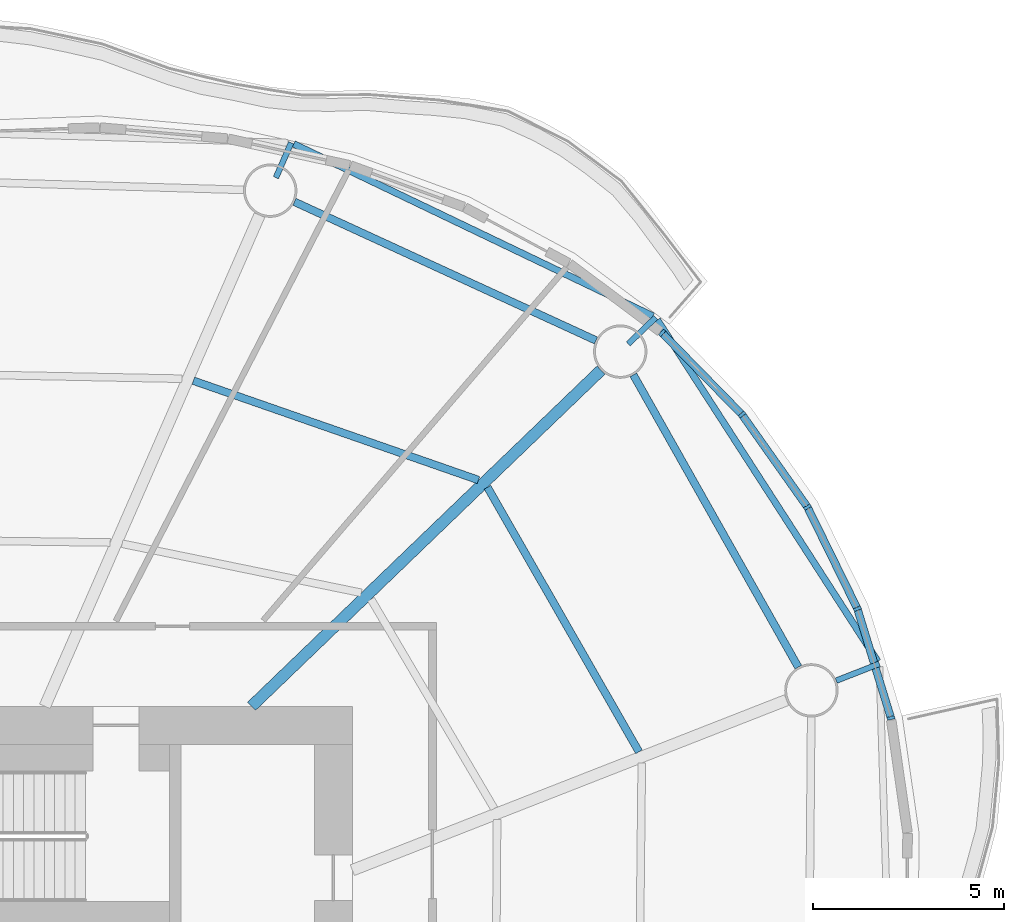
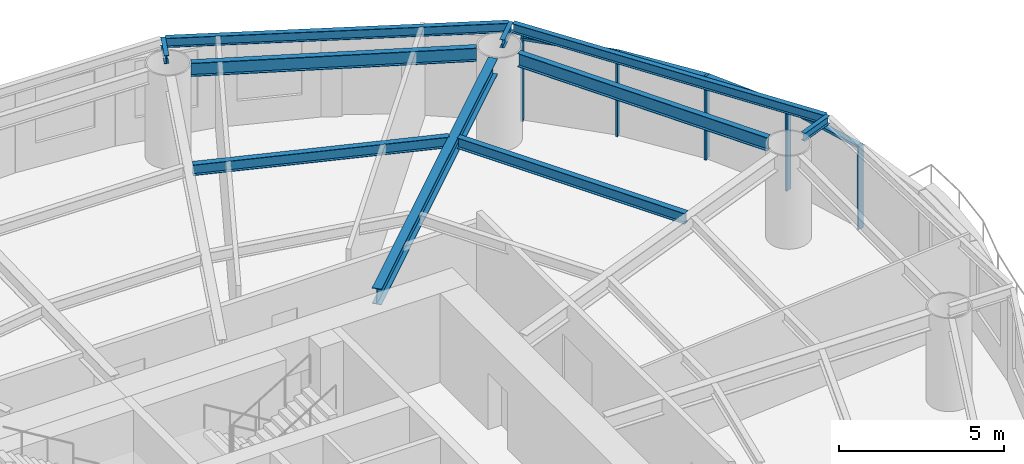
# One storey, part 6 of 14: 10 beams, 9 members, 4 elements without a shape of their own.
"""IFC4 building model written with IfcOpenShell, lengths in metres."""

import ifcopenshell
import ifcopenshell.guid

model = None  # the IFC model being written
_history = None  # IfcOwnerHistory: only IFC2X3 demands one
_inside = {}  # id of a spatial element -> (the spatial element, [elements in it])
_under = {}  # id of a project, library or spatial element -> (it, [spatial elements below it])
_declared = {}  # id of a project -> (the project, [libraries it declares])
_typed = {}  # id of a type object -> (the type object, [elements of that type])
_made_of = {}  # id of a material, layer set ... -> (it, [elements and type objects made of it])


def new_model(schema):
    """Start an empty IFC model of exactly this schema.

    Asked for "IFC4X3", IfcOpenShell would pick the latest addendum, in which some entities
    have other attributes; the version numbers below select the first issue.
    IFC2X3 requires an IfcOwnerHistory on every rooted entity: one is made here for all.
    """
    global model, _history
    if schema == "IFC4X3":
        model = ifcopenshell.file(schema_version=(4, 3, 0, 0))
    else:
        model = ifcopenshell.file(schema=schema)
    _inside.clear()
    _under.clear()
    _declared.clear()
    _typed.clear()
    _made_of.clear()
    _history = None
    if model.schema == "IFC2X3":
        org = make("IfcOrganization", Name="unknown")
        user = make(
            "IfcPersonAndOrganization",
            ThePerson=make("IfcPerson", FamilyName="unknown"),
            TheOrganization=org,
        )
        app = make(
            "IfcApplication",
            ApplicationDeveloper=org,
            Version="unknown",
            ApplicationFullName="unknown",
            ApplicationIdentifier="unknown",
        )
        _history = make(
            "IfcOwnerHistory",
            OwningUser=user,
            OwningApplication=app,
            ChangeAction="ADDED",
            CreationDate=0,
        )
    return model


def make(cls, **values):
    """One entity of the class cls with the attributes given. An attribute that is None is left unset."""
    return model.create_entity(
        cls, **{name: value for name, value in values.items() if value is not None}
    )


def rooted(cls, **values):
    """An entity with a GlobalId (a new one), such as an element, a storey or a relation."""
    return make(cls, GlobalId=ifcopenshell.guid.new(), OwnerHistory=_history, **values)


def si_unit(unit_type, name, prefix=None):
    """IfcSIUnit, for example si_unit("LENGTHUNIT", "METRE", prefix="MILLI")."""
    return make("IfcSIUnit", UnitType=unit_type, Prefix=prefix, Name=name)


def assignment(units):
    """IfcUnitAssignment: the units of a project."""
    return None if units is None else make("IfcUnitAssignment", Units=units)


def point(xyz):
    """IfcCartesianPoint."""
    return None if xyz is None else make("IfcCartesianPoint", Coordinates=xyz)


def direction(xyz):
    """IfcDirection."""
    return None if xyz is None else make("IfcDirection", DirectionRatios=xyz)


def frame(location, z_axis=None, x_axis=None):
    """IfcAxis2Placement3D, a coordinate frame: its origin and axes. An axis left out is left unset."""
    return make(
        "IfcAxis2Placement3D",
        Location=point(location),
        Axis=direction(z_axis),
        RefDirection=direction(x_axis),
    )


def frame_2d(location, x_axis=None):
    """IfcAxis2Placement2D, a coordinate frame in the plane: its origin and x axis."""
    return make(
        "IfcAxis2Placement2D", Location=point(location), RefDirection=direction(x_axis)
    )


def origin():
    """The frame at (0, 0, 0) with its axes left unset."""
    return frame((0.0, 0.0, 0.0))


def origin_2d():
    """The frame at (0, 0) in the plane with its x axis left unset."""
    return frame_2d((0.0, 0.0))


def place(relative_to, where):
    """IfcLocalPlacement: puts the frame where relative to a parent placement (None: the world)."""
    return make(
        "IfcLocalPlacement", PlacementRelTo=relative_to, RelativePlacement=where
    )


def context(
    kind, dimensions, precision=None, world=None, true_north=None, identifier=None
):
    """IfcGeometricRepresentationContext, for example the 3D "Model" context."""
    return make(
        "IfcGeometricRepresentationContext",
        ContextIdentifier=identifier,
        ContextType=kind,
        CoordinateSpaceDimension=dimensions,
        Precision=precision,
        WorldCoordinateSystem=world,
        TrueNorth=true_north,
    )


def subcontext(parent, identifier, kind, view, scale=None):
    """IfcGeometricRepresentationSubContext, for example "Body" below "Model"."""
    return make(
        "IfcGeometricRepresentationSubContext",
        ContextIdentifier=identifier,
        ContextType=kind,
        ParentContext=parent,
        TargetScale=scale,
        TargetView=view,
    )


def project(units=None, contexts=None):
    """IfcProject with its units and contexts."""
    return rooted(
        "IfcProject",
        Name="project",
        RepresentationContexts=contexts,
        UnitsInContext=assignment(units),
    )


def spatial(cls, under=None, at=None, **own):
    """A site, building, storey or space (cls), placed at a placement, below another one or the project."""
    s = rooted(cls, ObjectPlacement=at, **own)
    if under is not None:
        _under.setdefault(under.id(), (under, []))[1].append(s)
    return s


def profile(cls, at=None, kind="AREA", **sizes):
    """A parametric profile (cls). Its sizes go by their IFC names, for example OverallWidth=200.0."""
    return make(cls, ProfileType=kind, Position=at, **sizes)


def rectangle(**sizes):
    """IfcRectangleProfileDef."""
    return profile("IfcRectangleProfileDef", **sizes)


def i_section(**sizes):
    """IfcIShapeProfileDef."""
    return profile("IfcIShapeProfileDef", **sizes)


def extrude(swept, where, along, depth):
    """IfcExtrudedAreaSolid: the profile swept, set in the frame where, extruded along a direction by depth."""
    return make(
        "IfcExtrudedAreaSolid",
        SweptArea=swept,
        Position=where,
        ExtrudedDirection=direction(along),
        Depth=depth,
    )


def shape(context_of_items, identifier, shape_type, items):
    """IfcShapeRepresentation: the items that make up one representation, for example the "Body"."""
    return make(
        "IfcShapeRepresentation",
        ContextOfItems=context_of_items,
        RepresentationIdentifier=identifier,
        RepresentationType=shape_type,
        Items=items,
    )


def material(Name=None, Category=None):
    """IfcMaterial."""
    return make("IfcMaterial", Name=Name, Category=Category)


def material_profile(
    of_material, cross_section, Name=None, Category=None, Priority=None
):
    """IfcMaterialProfile: a cross section and its material."""
    return make(
        "IfcMaterialProfile",
        Name=Name,
        Material=of_material,
        Profile=cross_section,
        Priority=Priority,
        Category=Category,
    )


def profile_set(profiles, Name=None, composite=None):
    """IfcMaterialProfileSet."""
    return make(
        "IfcMaterialProfileSet",
        Name=Name,
        MaterialProfiles=profiles,
        CompositeProfile=composite,
    )


def made_of(thing, what):
    """Note that an element or type object is made of a material, layer set ...; save() writes the relation."""
    if what is not None:
        _made_of.setdefault(what.id(), (what, []))[1].append(thing)
    return thing


def type_object(cls, material=None, **own):
    """A type object (cls), such as IfcWallType, which elements share."""
    return made_of(rooted(cls, **own), material)


def element(
    cls,
    number,
    at=None,
    inside=None,
    cuts=None,
    type_object=None,
    material=None,
    context=None,
    identifier="Body",
    shape_type=None,
    held_by="IfcProductDefinitionShape",
    body=None,
    shapes=None,
    **own,
):
    """One element of the class cls, such as IfcWall. Its Tag is "e" and its number.

    at: its placement. inside: the storey or other place that contains it. cuts: it is an
    opening in that element (IfcRelVoidsElement). A single representation is given by context,
    identifier, shape_type and body (its items); several are given by shapes. held_by: the class
    of the entity that holds the representations. save() writes the other relations.
    """
    e = rooted(cls, Tag="e%d" % number, ObjectPlacement=at, **own)
    if body is not None:
        shapes = [shape(context, identifier, shape_type, body)]
    if shapes is not None:
        e.Representation = make(held_by, Representations=shapes)
    if inside is not None:
        _inside.setdefault(inside.id(), (inside, []))[1].append(e)
    if cuts is not None:
        rooted(
            "IfcRelVoidsElement", RelatingBuildingElement=cuts, RelatedOpeningElement=e
        )
    if type_object is not None:
        _typed.setdefault(type_object.id(), (type_object, []))[1].append(e)
    return made_of(e, material)


def aggregate(whole, parts):
    """IfcRelAggregates: a whole, such as a stair, and the parts it consists of."""
    return rooted("IfcRelAggregates", RelatingObject=whole, RelatedObjects=parts)


def save(model, path):
    """Write the relations noted so far, then the file.

    IfcRelAggregates (storeys below a building ...), IfcRelContainedInSpatialStructure (elements
    in a storey), IfcRelDefinesByType, IfcRelAssociatesMaterial and IfcRelDeclares: one each for
    every whole, place, type object, material and project.
    """
    for whole, parts in _under.values():
        aggregate(whole, parts)
    for where, things in _inside.values():
        rooted(
            "IfcRelContainedInSpatialStructure",
            RelatedElements=things,
            RelatingStructure=where,
        )
    for kind, things in _typed.values():
        rooted("IfcRelDefinesByType", RelatedObjects=things, RelatingType=kind)
    for what, things in _made_of.values():
        rooted("IfcRelAssociatesMaterial", RelatedObjects=things, RelatingMaterial=what)
    for by, libraries in _declared.values():
        rooted("IfcRelDeclares", RelatingContext=by, RelatedDefinitions=libraries)
    model.write(path)


model = new_model("IFC4")

# Units and contexts
model_context = context("Model", 3, precision=1e-05, world=origin(), true_north=direction((0.0, 1.0)))
body_context = subcontext(model_context, "Body", "Model", "MODEL_VIEW")
ifc_project = project(units=[si_unit("LENGTHUNIT", "METRE"), si_unit("AREAUNIT", "SQUARE_METRE"), si_unit("VOLUMEUNIT", "CUBIC_METRE"), si_unit("PLANEANGLEUNIT", "RADIAN"), si_unit("MASSUNIT", "GRAM", prefix="KILO")], contexts=[model_context])

# Site, building, storey
site_placement = place(None, origin())
site = spatial("IfcSite", under=ifc_project, at=site_placement, CompositionType="ELEMENT")
building_placement = place(site_placement, origin())
building = spatial("IfcBuilding", under=site, at=building_placement, Name="Vermilion Reach Broadcast Tower", CompositionType="ELEMENT")
storey_placement = place(building_placement, frame((0.0, 0.0, 157.800048828125)))
storey = spatial("IfcBuildingStorey", under=building, at=storey_placement, Name="L37", CompositionType="ELEMENT", Elevation=157.800048828125)

# Beams
ifc_material_1 = material(Name="Steel S355J2", Category="steel")
ifc_material_profile_1 = material_profile(ifc_material_1, i_section(OverallWidth=0.175048828125, OverallDepth=0.35009765625, WebThickness=0.007080078125, FlangeThickness=0.010986328125, at=origin_2d()), Name="S355J2 HN 350x175x7x11")
ifc_profile_set_1 = profile_set([ifc_material_profile_1], Name="Steel S355J2")
beam_type_1 = type_object("IfcBeamType", Name="EB3 HN 350x175x7x11", PredefinedType="BEAM", material=ifc_profile_set_1)
beam_1_placement = place(storey_placement, frame((13.885986328125, 19.234130859375, 3.27490234375), z_axis=(-0.901823995438, 0.432103553853, 0.0), x_axis=(-0.432103553853, -0.901823995438, 0.0)))
element("IfcBeam", 1, at=beam_1_placement, inside=storey, type_object=beam_type_1, Name="Edge beam EB3-01", PredefinedType="BEAM", context=body_context, shape_type="SweptSolid", body=[
    extrude(i_section(OverallWidth=0.175048828125, OverallDepth=0.35009765625, WebThickness=0.007080078125, FlangeThickness=0.010986328125, at=origin_2d()), origin(), (0.0, 0.0, 1.0), 10.44921875),
])
beam_2_placement = place(storey_placement, frame((19.78076171875, 10.1787109375, 3.27490234375), z_axis=(-0.542314647687, 0.840175471497, 0.0), x_axis=(-0.840175471497, -0.542314647687, 0.0)))
element("IfcBeam", 2, at=beam_2_placement, inside=storey, type_object=beam_type_1, Name="Edge beam EB3-16", PredefinedType="BEAM", context=body_context, shape_type="SweptSolid", body=[
    extrude(i_section(OverallWidth=0.175048828125, OverallDepth=0.35009765625, WebThickness=0.007080078125, FlangeThickness=0.010986328125, at=origin_2d()), origin(), (0.0, 0.0, 1.0), 10.660400390625),
])
ifc_material_2 = material(Name="Steel S355J2", Category="steel")
ifc_material_profile_2 = material_profile(ifc_material_2, i_section(OverallWidth=0.300048828125, OverallDepth=0.587890625, WebThickness=0.011962890625, FlangeThickness=0.02001953125, at=origin_2d()), Name="S355J2 HM 588x300x12x20")
ifc_profile_set_2 = profile_set([ifc_material_profile_2], Name="Steel S355J2")
beam_type_2 = type_object("IfcBeamType", Name="G3 HM 588x300x12x20", PredefinedType="BEAM", material=ifc_profile_set_2)
beam_3_placement = place(storey_placement, frame((3.355712890625, 9.0, 3.156005859375), z_axis=(0.720670374476, 0.693277874559, 0.0), x_axis=(-0.693277874559, 0.720670374476, 0.0)))
element("IfcBeam", 3, at=beam_3_placement, inside=storey, type_object=beam_type_2, Name="Girder G3-01", PredefinedType="BEAM", context=body_context, shape_type="SweptSolid", body=[
    extrude(i_section(OverallWidth=0.300048828125, OverallDepth=0.587890625, WebThickness=0.011962890625, FlangeThickness=0.02001953125, at=origin_2d()), origin(), (0.0, 0.0, 1.0), 12.718505859375),
])
ifc_material_3 = material(Name="Steel S355J2", Category="steel")
ifc_material_profile_3 = material_profile(ifc_material_3, i_section(OverallWidth=0.14990234375, OverallDepth=0.300048828125, WebThickness=0.006591796875, FlangeThickness=0.009033203125, at=origin_2d()), Name="S355J2 HN 300x150x6.5x9")
ifc_profile_set_3 = profile_set([ifc_material_profile_3], Name="Steel S355J2")
beam_type_3 = type_object("IfcBeamType", Name="GS3 HN 300x150x6.5x9", PredefinedType="BEAM", material=ifc_profile_set_3)
beam_4_placement = place(storey_placement, frame((13.237548828125, 18.506103515625, 3.300048828125), z_axis=(0.720528024691, 0.693425818408, 0.0), x_axis=(-0.693425818408, 0.720528024691, 0.0)))
element("IfcBeam", 4, at=beam_4_placement, inside=storey, type_object=beam_type_3, Name="Cantilever stub GS3-01", PredefinedType="BEAM", context=body_context, shape_type="SweptSolid", body=[
    extrude(i_section(OverallWidth=0.14990234375, OverallDepth=0.300048828125, WebThickness=0.006591796875, FlangeThickness=0.009033203125, at=origin_2d()), origin(), (0.0, 0.0, 1.0), 1.0),
])
beam_5_placement = place(storey_placement, frame((3.994384765625, 22.865234375, 3.300048828125), z_axis=(0.400332168209, 0.91637009723, 0.0), x_axis=(-0.91637009723, 0.400332168209, 0.0)))
element("IfcBeam", 5, at=beam_5_placement, inside=storey, type_object=beam_type_3, Name="Cantilever stub GS3-02", PredefinedType="BEAM", context=body_context, shape_type="SweptSolid", body=[
    extrude(i_section(OverallWidth=0.14990234375, OverallDepth=0.300048828125, WebThickness=0.006591796875, FlangeThickness=0.009033203125, at=origin_2d()), origin(), (0.0, 0.0, 1.0), 1.000244140625),
])
beam_6_placement = place(storey_placement, frame((18.6923828125, 9.671875, 3.300048828125), z_axis=(0.931103198351, 0.364755855361, 0.0), x_axis=(-0.364755855361, 0.931103198351, 0.0)))
element("IfcBeam", 6, at=beam_6_placement, inside=storey, type_object=beam_type_3, Name="Cantilever stub GS3-16", PredefinedType="BEAM", context=body_context, shape_type="SweptSolid", body=[
    extrude(i_section(OverallWidth=0.14990234375, OverallDepth=0.300048828125, WebThickness=0.006591796875, FlangeThickness=0.009033203125, at=origin_2d()), origin(), (0.0, 0.0, 1.0), 1.21337890625),
])
ifc_material_4 = material(Name="Steel S355J2", Category="steel")
ifc_material_profile_4 = material_profile(ifc_material_4, i_section(OverallWidth=0.199951171875, OverallDepth=0.5, WebThickness=0.010009765625, FlangeThickness=0.01611328125, at=origin_2d()), Name="S355J2 HN 500x200x10x16")
ifc_profile_set_4 = profile_set([ifc_material_profile_4], Name="Steel S355J2")
beam_type_4 = type_object("IfcBeamType", Name="RB3 HN 500x200x10x16", PredefinedType="BEAM", material=ifc_profile_set_4)
beam_7_placement = place(storey_placement, frame((12.389892578125, 18.594970703125, 3.199951171875), z_axis=(-0.908546241769, 0.417784306272, 0.0), x_axis=(-0.417784306272, -0.908546241769, 0.0)))
element("IfcBeam", 7, at=beam_7_placement, inside=storey, type_object=beam_type_4, Name="Ring beam RB3-01", PredefinedType="BEAM", context=body_context, shape_type="SweptSolid", body=[
    extrude(i_section(OverallWidth=0.199951171875, OverallDepth=0.5, WebThickness=0.010009765625, FlangeThickness=0.01611328125, at=origin_2d()), origin(), (0.0, 0.0, 1.0), 8.704833984375),
])
beam_8_placement = place(storey_placement, frame((17.696533203125, 10.026123046875, 3.199951171875), z_axis=(-0.491466825026, 0.870896296869, 0.0), x_axis=(-0.870896296869, -0.491466825026, 0.0)))
element("IfcBeam", 8, at=beam_8_placement, inside=storey, type_object=beam_type_4, Name="Ring beam RB3-16", PredefinedType="BEAM", context=body_context, shape_type="SweptSolid", body=[
    extrude(i_section(OverallWidth=0.199951171875, OverallDepth=0.5, WebThickness=0.010009765625, FlangeThickness=0.01611328125, at=origin_2d()), origin(), (0.0, 0.0, 1.0), 8.803466796875),
])
ifc_material_5 = material(Name="Steel S355J2", Category="steel")
ifc_material_profile_5 = material_profile(ifc_material_5, i_section(OverallWidth=0.199951171875, OverallDepth=0.39990234375, WebThickness=0.008056640625, FlangeThickness=0.012939453125, at=origin_2d()), Name="S355J2 HN 400x200x8x13")
ifc_profile_set_5 = profile_set([ifc_material_profile_5], Name="Steel S355J2")
beam_type_5 = type_object("IfcBeamType", Name="SB3 HN 400x200x8x13", PredefinedType="BEAM", material=ifc_profile_set_5)
beam_9_placement = place(storey_placement, frame((9.307373046875, 14.93359375, 3.25), z_axis=(-0.94431696779, 0.329037177754, 0.0), x_axis=(-0.329037177754, -0.94431696779, 0.0)))
element("IfcBeam", 9, at=beam_9_placement, inside=storey, type_object=beam_type_5, Name="Secondary beam SB3-01-2", PredefinedType="BEAM", context=body_context, shape_type="SweptSolid", body=[
    extrude(i_section(OverallWidth=0.199951171875, OverallDepth=0.39990234375, WebThickness=0.008056640625, FlangeThickness=0.012939453125, at=origin_2d()), origin(), (0.0, 0.0, 1.0), 7.91845703125),
])
beam_10_placement = place(storey_placement, frame((13.51708984375, 7.805908203125, 3.25), z_axis=(-0.497026503115, 0.867735360119, 0.0), x_axis=(-0.867735360119, -0.497026503115, 0.0)))
element("IfcBeam", 10, at=beam_10_placement, inside=storey, type_object=beam_type_5, Name="Secondary beam SB3-16-2", PredefinedType="BEAM", context=body_context, shape_type="SweptSolid", body=[
    extrude(i_section(OverallWidth=0.199951171875, OverallDepth=0.39990234375, WebThickness=0.008056640625, FlangeThickness=0.012939453125, at=origin_2d()), origin(), (0.0, 0.0, 1.0), 7.995849609375),
])

# Curtain wall, member
ifc_material_6 = material(Name="Low-e laminated clear glass in aluminium frame", Category="aluminium")
curtain_wall_type = type_object("IfcCurtainWallType", Name="Slot curtain wall", PredefinedType="NOTDEFINED", material=ifc_material_6)
placement = place(storey_placement, origin())
curtain_wall_1 = element("IfcCurtainWall", 11, at=placement, inside=storey, type_object=curtain_wall_type, Name="Slot curtain wall L37 46", PredefinedType="NOTDEFINED")
ifc_material_7 = material(Name="Anodised aluminium", Category="aluminium")
ifc_material_profile_6 = material_profile(ifc_material_7, rectangle(XDim=0.199951171875, YDim=0.080078125, at=origin_2d()), Name="Slot mullion 80 x 200")
ifc_profile_set_6 = profile_set([ifc_material_profile_6], Name="Anodised aluminium")
member_type_1 = type_object("IfcMemberType", Name="Slot mullion 80 x 200", PredefinedType="MULLION", material=ifc_profile_set_6)
member_1_placement = place(storey_placement, frame((20.126708984375, 8.6904296875, 0.0), z_axis=(0.0, 0.0, 1.0), x_axis=(-0.975739172144, -0.218936218893, 0.0)))
member_1 = element("IfcMember", 12, at=member_1_placement, type_object=member_type_1, Name="Slot mullion L37 46", PredefinedType="MULLION", context=body_context, shape_type="SweptSolid", body=[
    extrude(rectangle(XDim=0.199951171875, YDim=0.080078125, at=origin_2d()), origin(), (0.0, 0.0, 1.0), 3.099853515625),
])

curtain_wall_2 = element("IfcCurtainWall", 13, at=placement, inside=storey, type_object=curtain_wall_type, Name="Slot curtain wall L37 47", PredefinedType="NOTDEFINED")
member_2_placement = place(storey_placement, frame((19.24658203125, 11.555908203125, 0.0), z_axis=(0.0, 0.0, 1.0), x_axis=(-0.92970504298, -0.368304945741, 0.0)))
member_2 = element("IfcMember", 14, at=member_2_placement, type_object=member_type_1, Name="Slot mullion L37 47", PredefinedType="MULLION", context=body_context, shape_type="SweptSolid", body=[
    extrude(rectangle(XDim=0.199951171875, YDim=0.080078125, at=origin_2d()), origin(), (0.0, 0.0, 1.0), 3.099853515625),
])

curtain_wall_3 = element("IfcCurtainWall", 15, at=placement, inside=storey, type_object=curtain_wall_type, Name="Slot curtain wall L37 00", PredefinedType="NOTDEFINED")
member_3_placement = place(storey_placement, frame((17.936767578125, 14.223876953125, 0.0), z_axis=(0.0, 0.0, 1.0), x_axis=(-0.859674003255, -0.510843036682, 0.0)))
member_3 = element("IfcMember", 16, at=member_3_placement, type_object=member_type_1, Name="Slot mullion L37 00", PredefinedType="MULLION", context=body_context, shape_type="SweptSolid", body=[
    extrude(rectangle(XDim=0.199951171875, YDim=0.080078125, at=origin_2d()), origin(), (0.0, 0.0, 1.0), 3.099853515625),
])

# Curtain wall, members
curtain_wall_4 = element("IfcCurtainWall", 17, at=placement, inside=storey, type_object=curtain_wall_type, Name="Slot curtain wall L37 01", PredefinedType="NOTDEFINED")
member_4_placement = place(storey_placement, frame((16.219482421875, 16.64990234375, 0.0), z_axis=(0.0, 0.0, 1.0), x_axis=(-0.767960758925, -0.640496895192, 0.0)))
member_4 = element("IfcMember", 18, at=member_4_placement, type_object=member_type_1, Name="Slot mullion L37 01", PredefinedType="MULLION", context=body_context, shape_type="SweptSolid", body=[
    extrude(rectangle(XDim=0.199951171875, YDim=0.080078125, at=origin_2d()), origin(), (0.0, 0.0, 1.0), 3.099853515625),
])
member_5_placement = place(storey_placement, frame((14.12353515625, 18.79296875, 0.0), z_axis=(0.0, 0.0, 1.0), x_axis=(-0.65877556675, -0.752339519534, 0.0)))
member_5 = element("IfcMember", 19, at=member_5_placement, type_object=member_type_1, Name="Slot mullion L37 02", PredefinedType="MULLION", context=body_context, shape_type="SweptSolid", body=[
    extrude(rectangle(XDim=0.199951171875, YDim=0.080078125, at=origin_2d()), origin(), (0.0, 0.0, 1.0), 3.099853515625),
])

# Member
ifc_material_8 = material(Name="Anodised aluminium", Category="aluminium")
ifc_material_profile_7 = material_profile(ifc_material_8, rectangle(XDim=0.199951171875, YDim=0.10009765625, at=origin_2d()), Name="Slot transom 200 x 100")
ifc_profile_set_7 = profile_set([ifc_material_profile_7], Name="Anodised aluminium")
member_type_2 = type_object("IfcMemberType", Name="Slot transom 200 x 100", PredefinedType="USERDEFINED", material=ifc_profile_set_7)
member_6_placement = place(storey_placement, frame((20.114990234375, 8.728515625, 3.050048828125), z_axis=(-0.29362129573, 0.955921824572, 0.0), x_axis=(-0.955921824572, -0.29362129573, 0.0)))
member_6 = element("IfcMember", 20, at=member_6_placement, type_object=member_type_2, Name="Slot transom L37 46.1", ObjectType="TRANSOM", PredefinedType="USERDEFINED", context=body_context, shape_type="SweptSolid", body=[
    extrude(rectangle(XDim=0.199951171875, YDim=0.10009765625, at=origin_2d()), origin(), (0.0, 0.0, 1.0), 2.917724609375),
])

aggregate(curtain_wall_1, [member_1, member_6])

member_7_placement = place(storey_placement, frame((19.228759765625, 11.591796875, 3.050048828125), z_axis=(-0.440650928456, 0.897678538927, 0.0), x_axis=(-0.897678538927, -0.440650928456, 0.0)))
member_7 = element("IfcMember", 21, at=member_7_placement, type_object=member_type_2, Name="Slot transom L37 47.1", ObjectType="TRANSOM", PredefinedType="USERDEFINED", context=body_context, shape_type="SweptSolid", body=[
    extrude(rectangle(XDim=0.199951171875, YDim=0.10009765625, at=origin_2d()), origin(), (0.0, 0.0, 1.0), 2.89208984375),
])

aggregate(curtain_wall_2, [member_2, member_7])

member_8_placement = place(storey_placement, frame((17.91357421875, 14.256591796875, 3.050048828125), z_axis=(-0.577743273278, 0.81621854315, 0.0), x_axis=(-0.81621854315, -0.577743273278, 0.0)))
member_8 = element("IfcMember", 22, at=member_8_placement, type_object=member_type_2, Name="Slot transom L37 00.1", ObjectType="TRANSOM", PredefinedType="USERDEFINED", context=body_context, shape_type="SweptSolid", body=[
    extrude(rectangle(XDim=0.199951171875, YDim=0.10009765625, at=origin_2d()), origin(), (0.0, 0.0, 1.0), 2.89208984375),
])

aggregate(curtain_wall_3, [member_3, member_8])

member_9_placement = place(storey_placement, frame((16.191650390625, 16.678466796875, 3.050048828125), z_axis=(-0.69923930904, 0.714887675578, 0.0), x_axis=(-0.714887675578, -0.69923930904, 0.0)))
member_9 = element("IfcMember", 23, at=member_9_placement, type_object=member_type_2, Name="Slot transom L37 01.1", ObjectType="TRANSOM", PredefinedType="USERDEFINED", context=body_context, shape_type="SweptSolid", body=[
    extrude(rectangle(XDim=0.199951171875, YDim=0.10009765625, at=origin_2d()), origin(), (0.0, 0.0, 1.0), 2.91748046875),
])

aggregate(curtain_wall_4, [member_4, member_5, member_9])

save(model, "model.ifc")
